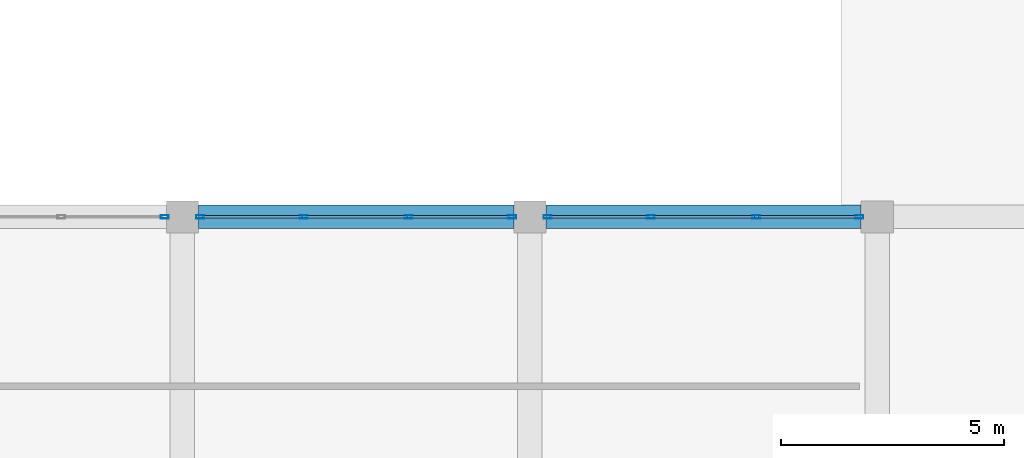
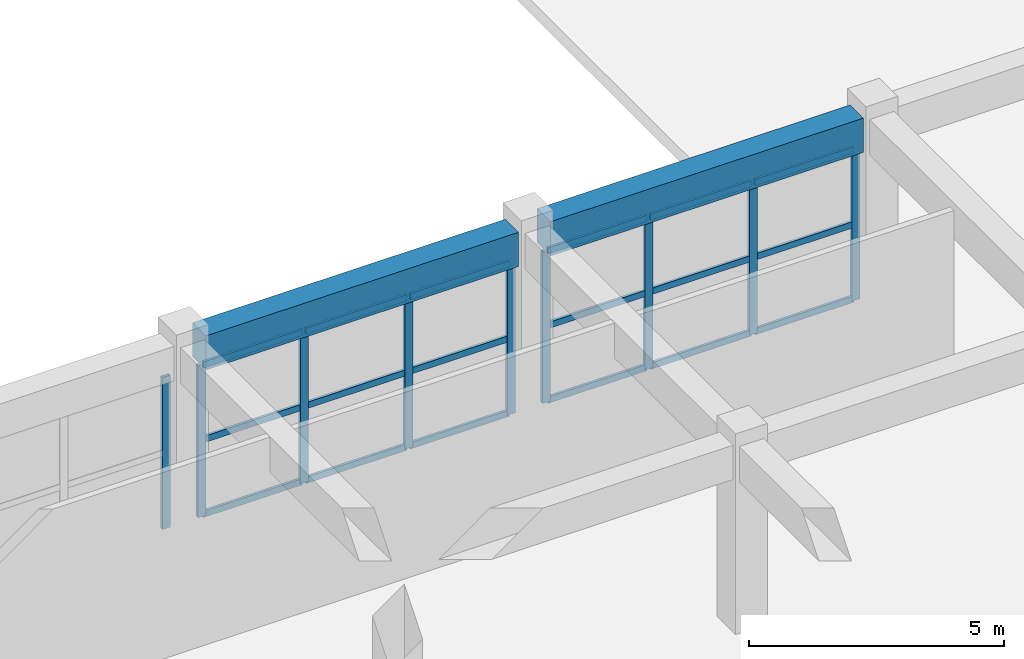
# One storey, part 76 of 139: 27 members, 2 beams, 3 elements without a shape of their own.
"""IFC4 building model written with IfcOpenShell, lengths in metres."""

from ifc_helpers import new_model, si_unit, direction, frame, origin, origin_2d, place, context, subcontext, project, spatial, rectangle, hollow_rectangle, extrude, material, layer, layer_set, material_profile, profile_set, type_object, element, aggregate, save


model = new_model("IFC4")

# Units and contexts
model_context = context("Model", 3, precision=1e-05, world=origin(), true_north=direction((0.0, 1.0)))
body_context = subcontext(model_context, "Body", "Model", "MODEL_VIEW")
ifc_project = project(units=[si_unit("LENGTHUNIT", "METRE"), si_unit("AREAUNIT", "SQUARE_METRE"), si_unit("VOLUMEUNIT", "CUBIC_METRE"), si_unit("PLANEANGLEUNIT", "RADIAN"), si_unit("MASSUNIT", "GRAM", prefix="KILO")], contexts=[model_context])

# Site, building, storey
site_placement = place(None, origin())
site = spatial("IfcSite", under=ifc_project, at=site_placement, CompositionType="ELEMENT")
building_placement = place(site_placement, origin())
building = spatial("IfcBuilding", under=site, at=building_placement, Name="Zizhar Promenade General Hospital", CompositionType="ELEMENT")
storey_placement = place(building_placement, origin())
storey = spatial("IfcBuildingStorey", under=building, at=storey_placement, Name="L00", CompositionType="ELEMENT", Elevation=0.0)

# Beams
ifc_material_1 = material(Name="Concrete C35/45", Category="concrete")
ifc_material_profile_1 = material_profile(ifc_material_1, rectangle(XDim=0.52001953125, YDim=0.820068359375, at=origin_2d()))
ifc_profile_set_1 = profile_set([ifc_material_profile_1], Name="Concrete C35/45")
beam_type = type_object("IfcBeamType", Name="BM-RC-520x820", PredefinedType="BEAM", material=ifc_profile_set_1)
beam_1_placement = place(storey_placement, frame((156.360107421875, 67.199951171875, 4.06005859375), z_axis=(1.0, 0.0, 0.0), x_axis=(0.0, 1.0, 0.0)))
element("IfcBeam", 1, at=beam_1_placement, inside=storey, type_object=beam_type, Name="Grid Beam X L00 (20-8)", PredefinedType="BEAM", context=body_context, shape_type="SweptSolid", body=[
    extrude(rectangle(XDim=0.52001953125, YDim=0.820068359375, at=origin_2d()), origin(), (0.0, 0.0, 1.0), 7.079833984375),
])
beam_2_placement = place(storey_placement, frame((164.159912109375, 67.199951171875, 4.06005859375), z_axis=(1.0, 0.0, 0.0), x_axis=(0.0, 1.0, 0.0)))
element("IfcBeam", 2, at=beam_2_placement, inside=storey, type_object=beam_type, Name="Grid Beam X L00 (21-8)", PredefinedType="BEAM", context=body_context, shape_type="SweptSolid", body=[
    extrude(rectangle(XDim=0.52001953125, YDim=0.820068359375, at=origin_2d()), origin(), (0.0, 0.0, 1.0), 7.080078125),
])

# Curtain wall, member
ifc_material_2 = material(Name="Anodised aluminium 6063-T6 and low-E glass", Category="aluminium")
ifc_layer = layer(ifc_material_2, 0.159912109375)
ifc_layer_set = layer_set([ifc_layer], Name="Anodised aluminium 6063-T6 and low-E glass")
curtain_wall_type = type_object("IfcCurtainWallType", Name="CW-CLN-CRT", PredefinedType="NOTDEFINED", material=ifc_layer_set)
curtain_wall_1_placement = place(storey_placement, origin())
curtain_wall_1 = element("IfcCurtainWall", 3, at=curtain_wall_1_placement, inside=storey, type_object=curtain_wall_type, Name="East Light Court South Glazing L00-19", PredefinedType="NOTDEFINED")
ifc_material_3 = material(Name="Anodised aluminium 6063-T6", Category="aluminium")
ifc_material_profile_2 = material_profile(ifc_material_3, hollow_rectangle(XDim=0.080078125, YDim=0.179931640625, WallThickness=0.0048828125, at=origin_2d()))
ifc_profile_set_2 = profile_set([ifc_material_profile_2], Name="Anodised aluminium 6063-T6")
member_type_1 = type_object("IfcMemberType", Name="CWM-ALU-180x80", PredefinedType="MULLION", material=ifc_profile_set_2)
member_1_placement = place(storey_placement, frame((155.60009765625, 67.199951171875, 0.0), z_axis=(0.0, 0.0, 1.0), x_axis=(0.0, 1.0, 0.0)))
member_1 = element("IfcMember", 4, at=member_1_placement, type_object=member_type_1, Name="CW-10 mullion 4", PredefinedType="MULLION", context=body_context, shape_type="SweptSolid", body=[
    extrude(hollow_rectangle(XDim=0.080078125, YDim=0.179931640625, WallThickness=0.0048828125, at=origin_2d()), origin(), (0.0, 0.0, 1.0), 3.6298828125),
])
aggregate(curtain_wall_1, [member_1])

# Curtain wall, members
curtain_wall_2_placement = place(storey_placement, origin())
curtain_wall_2 = element("IfcCurtainWall", 5, at=curtain_wall_2_placement, inside=storey, type_object=curtain_wall_type, Name="East Light Court South Glazing L00-20", PredefinedType="NOTDEFINED")
member_2_placement = place(storey_placement, frame((156.39990234375, 67.199951171875, 0.0), z_axis=(0.0, 0.0, 1.0), x_axis=(0.0, 1.0, 0.0)))
member_2 = element("IfcMember", 6, at=member_2_placement, type_object=member_type_1, Name="CW-10 mullion 1", PredefinedType="MULLION", context=body_context, shape_type="SweptSolid", body=[
    extrude(hollow_rectangle(XDim=0.080078125, YDim=0.179931640625, WallThickness=0.0048828125, at=origin_2d()), origin(), (0.0, 0.0, 1.0), 3.6298828125),
])
member_3_placement = place(storey_placement, frame((158.719970703125, 67.199951171875, 0.0), z_axis=(0.0, 0.0, 1.0), x_axis=(0.0, 1.0, 0.0)))
member_3 = element("IfcMember", 7, at=member_3_placement, type_object=member_type_1, Name="CW-10 mullion 2", PredefinedType="MULLION", context=body_context, shape_type="SweptSolid", body=[
    extrude(hollow_rectangle(XDim=0.080078125, YDim=0.179931640625, WallThickness=0.0048828125, at=origin_2d()), origin(), (0.0, 0.0, 1.0), 3.6298828125),
])
member_4_placement = place(storey_placement, frame((161.080078125, 67.199951171875, 0.0), z_axis=(0.0, 0.0, 1.0), x_axis=(0.0, 1.0, 0.0)))
member_4 = element("IfcMember", 8, at=member_4_placement, type_object=member_type_1, Name="CW-10 mullion 3", PredefinedType="MULLION", context=body_context, shape_type="SweptSolid", body=[
    extrude(hollow_rectangle(XDim=0.080078125, YDim=0.179931640625, WallThickness=0.0048828125, at=origin_2d()), origin(), (0.0, 0.0, 1.0), 3.6298828125),
])
member_5_placement = place(storey_placement, frame((163.39990234375, 67.199951171875, 0.0), z_axis=(0.0, 0.0, 1.0), x_axis=(0.0, 1.0, 0.0)))
member_5 = element("IfcMember", 9, at=member_5_placement, type_object=member_type_1, Name="CW-10 mullion 4", PredefinedType="MULLION", context=body_context, shape_type="SweptSolid", body=[
    extrude(hollow_rectangle(XDim=0.080078125, YDim=0.179931640625, WallThickness=0.0048828125, at=origin_2d()), origin(), (0.0, 0.0, 1.0), 3.6298828125),
])

curtain_wall_3_placement = place(storey_placement, origin())
curtain_wall_3 = element("IfcCurtainWall", 10, at=curtain_wall_3_placement, inside=storey, type_object=curtain_wall_type, Name="East Light Court South Glazing L00-21", PredefinedType="NOTDEFINED")
member_6_placement = place(storey_placement, frame((164.199951171875, 67.199951171875, 0.0), z_axis=(0.0, 0.0, 1.0), x_axis=(0.0, 1.0, 0.0)))
member_6 = element("IfcMember", 11, at=member_6_placement, type_object=member_type_1, Name="CW-10 mullion 1", PredefinedType="MULLION", context=body_context, shape_type="SweptSolid", body=[
    extrude(hollow_rectangle(XDim=0.080078125, YDim=0.179931640625, WallThickness=0.0048828125, at=origin_2d()), origin(), (0.0, 0.0, 1.0), 3.6298828125),
])
member_7_placement = place(storey_placement, frame((166.52001953125, 67.199951171875, 0.0), z_axis=(0.0, 0.0, 1.0), x_axis=(0.0, 1.0, 0.0)))
member_7 = element("IfcMember", 12, at=member_7_placement, type_object=member_type_1, Name="CW-10 mullion 2", PredefinedType="MULLION", context=body_context, shape_type="SweptSolid", body=[
    extrude(hollow_rectangle(XDim=0.080078125, YDim=0.179931640625, WallThickness=0.0048828125, at=origin_2d()), origin(), (0.0, 0.0, 1.0), 3.6298828125),
])
member_8_placement = place(storey_placement, frame((168.8798828125, 67.199951171875, 0.0), z_axis=(0.0, 0.0, 1.0), x_axis=(0.0, 1.0, 0.0)))
member_8 = element("IfcMember", 13, at=member_8_placement, type_object=member_type_1, Name="CW-10 mullion 3", PredefinedType="MULLION", context=body_context, shape_type="SweptSolid", body=[
    extrude(hollow_rectangle(XDim=0.080078125, YDim=0.179931640625, WallThickness=0.0048828125, at=origin_2d()), origin(), (0.0, 0.0, 1.0), 3.6298828125),
])
member_9_placement = place(storey_placement, frame((171.199951171875, 67.199951171875, 0.0), z_axis=(0.0, 0.0, 1.0), x_axis=(0.0, 1.0, 0.0)))
member_9 = element("IfcMember", 14, at=member_9_placement, type_object=member_type_1, Name="CW-10 mullion 4", PredefinedType="MULLION", context=body_context, shape_type="SweptSolid", body=[
    extrude(hollow_rectangle(XDim=0.080078125, YDim=0.179931640625, WallThickness=0.0048828125, at=origin_2d()), origin(), (0.0, 0.0, 1.0), 3.6298828125),
])

# Member
ifc_material_4 = material(Name="Anodised aluminium 6063-T6", Category="aluminium")
ifc_material_profile_3 = material_profile(ifc_material_4, hollow_rectangle(XDim=0.06005859375, YDim=0.14990234375, WallThickness=0.00390625, at=origin_2d()))
ifc_profile_set_3 = profile_set([ifc_material_profile_3], Name="Anodised aluminium 6063-T6")
member_type_2 = type_object("IfcMemberType", Name="CWT-ALU-150x60", PredefinedType="USERDEFINED", material=ifc_profile_set_3)
member_10_placement = place(storey_placement, frame((156.43994140625, 67.199951171875, 0.030029296875), z_axis=(1.0, 0.0, 0.0), x_axis=(0.0, 1.0, 0.0)))
member_10 = element("IfcMember", 15, at=member_10_placement, type_object=member_type_2, Name="CW-10 transom 1.1", ObjectType="TRANSOM", PredefinedType="USERDEFINED", context=body_context, shape_type="SweptSolid", body=[
    extrude(hollow_rectangle(XDim=0.06005859375, YDim=0.14990234375, WallThickness=0.00390625, at=origin_2d()), origin(), (0.0, 0.0, 1.0), 2.239990234375),
])

member_11_placement = place(storey_placement, frame((156.43994140625, 67.199951171875, 1.81494140625), z_axis=(1.0, 0.0, 0.0), x_axis=(0.0, 1.0, 0.0)))
member_11 = element("IfcMember", 16, at=member_11_placement, type_object=member_type_2, Name="CW-10 transom 1.2", ObjectType="TRANSOM", PredefinedType="USERDEFINED", context=body_context, shape_type="SweptSolid", body=[
    extrude(hollow_rectangle(XDim=0.06005859375, YDim=0.14990234375, WallThickness=0.00390625, at=origin_2d()), origin(), (0.0, 0.0, 1.0), 2.239990234375),
])

member_12_placement = place(storey_placement, frame((156.43994140625, 67.199951171875, 3.60009765625), z_axis=(1.0, 0.0, 0.0), x_axis=(0.0, 1.0, 0.0)))
member_12 = element("IfcMember", 17, at=member_12_placement, type_object=member_type_2, Name="CW-10 transom 1.3", ObjectType="TRANSOM", PredefinedType="USERDEFINED", context=body_context, shape_type="SweptSolid", body=[
    extrude(hollow_rectangle(XDim=0.06005859375, YDim=0.14990234375, WallThickness=0.00390625, at=origin_2d()), origin(), (0.0, 0.0, 1.0), 2.239990234375),
])

member_13_placement = place(storey_placement, frame((158.760009765625, 67.199951171875, 0.030029296875), z_axis=(1.0, 0.0, 0.0), x_axis=(0.0, 1.0, 0.0)))
member_13 = element("IfcMember", 18, at=member_13_placement, type_object=member_type_2, Name="CW-10 transom 2.1", ObjectType="TRANSOM", PredefinedType="USERDEFINED", context=body_context, shape_type="SweptSolid", body=[
    extrude(hollow_rectangle(XDim=0.06005859375, YDim=0.14990234375, WallThickness=0.00390625, at=origin_2d()), origin(), (0.0, 0.0, 1.0), 2.280029296875),
])

member_14_placement = place(storey_placement, frame((158.760009765625, 67.199951171875, 1.81494140625), z_axis=(1.0, 0.0, 0.0), x_axis=(0.0, 1.0, 0.0)))
member_14 = element("IfcMember", 19, at=member_14_placement, type_object=member_type_2, Name="CW-10 transom 2.2", ObjectType="TRANSOM", PredefinedType="USERDEFINED", context=body_context, shape_type="SweptSolid", body=[
    extrude(hollow_rectangle(XDim=0.06005859375, YDim=0.14990234375, WallThickness=0.00390625, at=origin_2d()), origin(), (0.0, 0.0, 1.0), 2.280029296875),
])

member_15_placement = place(storey_placement, frame((158.760009765625, 67.199951171875, 3.60009765625), z_axis=(1.0, 0.0, 0.0), x_axis=(0.0, 1.0, 0.0)))
member_15 = element("IfcMember", 20, at=member_15_placement, type_object=member_type_2, Name="CW-10 transom 2.3", ObjectType="TRANSOM", PredefinedType="USERDEFINED", context=body_context, shape_type="SweptSolid", body=[
    extrude(hollow_rectangle(XDim=0.06005859375, YDim=0.14990234375, WallThickness=0.00390625, at=origin_2d()), origin(), (0.0, 0.0, 1.0), 2.280029296875),
])

member_16_placement = place(storey_placement, frame((161.1201171875, 67.199951171875, 0.030029296875), z_axis=(1.0, 0.0, 0.0), x_axis=(0.0, 1.0, 0.0)))
member_16 = element("IfcMember", 21, at=member_16_placement, type_object=member_type_2, Name="CW-10 transom 3.1", ObjectType="TRANSOM", PredefinedType="USERDEFINED", context=body_context, shape_type="SweptSolid", body=[
    extrude(hollow_rectangle(XDim=0.06005859375, YDim=0.14990234375, WallThickness=0.00390625, at=origin_2d()), origin(), (0.0, 0.0, 1.0), 2.239990234375),
])

member_17_placement = place(storey_placement, frame((161.1201171875, 67.199951171875, 1.81494140625), z_axis=(1.0, 0.0, 0.0), x_axis=(0.0, 1.0, 0.0)))
member_17 = element("IfcMember", 22, at=member_17_placement, type_object=member_type_2, Name="CW-10 transom 3.2", ObjectType="TRANSOM", PredefinedType="USERDEFINED", context=body_context, shape_type="SweptSolid", body=[
    extrude(hollow_rectangle(XDim=0.06005859375, YDim=0.14990234375, WallThickness=0.00390625, at=origin_2d()), origin(), (0.0, 0.0, 1.0), 2.239990234375),
])

member_18_placement = place(storey_placement, frame((161.1201171875, 67.199951171875, 3.60009765625), z_axis=(1.0, 0.0, 0.0), x_axis=(0.0, 1.0, 0.0)))
member_18 = element("IfcMember", 23, at=member_18_placement, type_object=member_type_2, Name="CW-10 transom 3.3", ObjectType="TRANSOM", PredefinedType="USERDEFINED", context=body_context, shape_type="SweptSolid", body=[
    extrude(hollow_rectangle(XDim=0.06005859375, YDim=0.14990234375, WallThickness=0.00390625, at=origin_2d()), origin(), (0.0, 0.0, 1.0), 2.239990234375),
])

aggregate(curtain_wall_2, [member_2, member_3, member_4, member_5, member_10, member_11, member_12, member_13, member_14, member_15, member_16, member_17, member_18])

member_19_placement = place(storey_placement, frame((164.239990234375, 67.199951171875, 0.030029296875), z_axis=(1.0, 0.0, 0.0), x_axis=(0.0, 1.0, 0.0)))
member_19 = element("IfcMember", 24, at=member_19_placement, type_object=member_type_2, Name="CW-10 transom 1.1", ObjectType="TRANSOM", PredefinedType="USERDEFINED", context=body_context, shape_type="SweptSolid", body=[
    extrude(hollow_rectangle(XDim=0.06005859375, YDim=0.14990234375, WallThickness=0.00390625, at=origin_2d()), origin(), (0.0, 0.0, 1.0), 2.239990234375),
])

member_20_placement = place(storey_placement, frame((164.239990234375, 67.199951171875, 1.81494140625), z_axis=(1.0, 0.0, 0.0), x_axis=(0.0, 1.0, 0.0)))
member_20 = element("IfcMember", 25, at=member_20_placement, type_object=member_type_2, Name="CW-10 transom 1.2", ObjectType="TRANSOM", PredefinedType="USERDEFINED", context=body_context, shape_type="SweptSolid", body=[
    extrude(hollow_rectangle(XDim=0.06005859375, YDim=0.14990234375, WallThickness=0.00390625, at=origin_2d()), origin(), (0.0, 0.0, 1.0), 2.239990234375),
])

member_21_placement = place(storey_placement, frame((164.239990234375, 67.199951171875, 3.60009765625), z_axis=(1.0, 0.0, 0.0), x_axis=(0.0, 1.0, 0.0)))
member_21 = element("IfcMember", 26, at=member_21_placement, type_object=member_type_2, Name="CW-10 transom 1.3", ObjectType="TRANSOM", PredefinedType="USERDEFINED", context=body_context, shape_type="SweptSolid", body=[
    extrude(hollow_rectangle(XDim=0.06005859375, YDim=0.14990234375, WallThickness=0.00390625, at=origin_2d()), origin(), (0.0, 0.0, 1.0), 2.239990234375),
])

member_22_placement = place(storey_placement, frame((166.56005859375, 67.199951171875, 0.030029296875), z_axis=(1.0, 0.0, 0.0), x_axis=(0.0, 1.0, 0.0)))
member_22 = element("IfcMember", 27, at=member_22_placement, type_object=member_type_2, Name="CW-10 transom 2.1", ObjectType="TRANSOM", PredefinedType="USERDEFINED", context=body_context, shape_type="SweptSolid", body=[
    extrude(hollow_rectangle(XDim=0.06005859375, YDim=0.14990234375, WallThickness=0.00390625, at=origin_2d()), origin(), (0.0, 0.0, 1.0), 2.280029296875),
])

member_23_placement = place(storey_placement, frame((166.56005859375, 67.199951171875, 1.81494140625), z_axis=(1.0, 0.0, 0.0), x_axis=(0.0, 1.0, 0.0)))
member_23 = element("IfcMember", 28, at=member_23_placement, type_object=member_type_2, Name="CW-10 transom 2.2", ObjectType="TRANSOM", PredefinedType="USERDEFINED", context=body_context, shape_type="SweptSolid", body=[
    extrude(hollow_rectangle(XDim=0.06005859375, YDim=0.14990234375, WallThickness=0.00390625, at=origin_2d()), origin(), (0.0, 0.0, 1.0), 2.280029296875),
])

member_24_placement = place(storey_placement, frame((166.56005859375, 67.199951171875, 3.60009765625), z_axis=(1.0, 0.0, 0.0), x_axis=(0.0, 1.0, 0.0)))
member_24 = element("IfcMember", 29, at=member_24_placement, type_object=member_type_2, Name="CW-10 transom 2.3", ObjectType="TRANSOM", PredefinedType="USERDEFINED", context=body_context, shape_type="SweptSolid", body=[
    extrude(hollow_rectangle(XDim=0.06005859375, YDim=0.14990234375, WallThickness=0.00390625, at=origin_2d()), origin(), (0.0, 0.0, 1.0), 2.280029296875),
])

member_25_placement = place(storey_placement, frame((168.919921875, 67.199951171875, 0.030029296875), z_axis=(1.0, 0.0, 0.0), x_axis=(0.0, 1.0, 0.0)))
member_25 = element("IfcMember", 30, at=member_25_placement, type_object=member_type_2, Name="CW-10 transom 3.1", ObjectType="TRANSOM", PredefinedType="USERDEFINED", context=body_context, shape_type="SweptSolid", body=[
    extrude(hollow_rectangle(XDim=0.06005859375, YDim=0.14990234375, WallThickness=0.00390625, at=origin_2d()), origin(), (0.0, 0.0, 1.0), 2.239990234375),
])

member_26_placement = place(storey_placement, frame((168.919921875, 67.199951171875, 1.81494140625), z_axis=(1.0, 0.0, 0.0), x_axis=(0.0, 1.0, 0.0)))
member_26 = element("IfcMember", 31, at=member_26_placement, type_object=member_type_2, Name="CW-10 transom 3.2", ObjectType="TRANSOM", PredefinedType="USERDEFINED", context=body_context, shape_type="SweptSolid", body=[
    extrude(hollow_rectangle(XDim=0.06005859375, YDim=0.14990234375, WallThickness=0.00390625, at=origin_2d()), origin(), (0.0, 0.0, 1.0), 2.239990234375),
])

member_27_placement = place(storey_placement, frame((168.919921875, 67.199951171875, 3.60009765625), z_axis=(1.0, 0.0, 0.0), x_axis=(0.0, 1.0, 0.0)))
member_27 = element("IfcMember", 32, at=member_27_placement, type_object=member_type_2, Name="CW-10 transom 3.3", ObjectType="TRANSOM", PredefinedType="USERDEFINED", context=body_context, shape_type="SweptSolid", body=[
    extrude(hollow_rectangle(XDim=0.06005859375, YDim=0.14990234375, WallThickness=0.00390625, at=origin_2d()), origin(), (0.0, 0.0, 1.0), 2.239990234375),
])

aggregate(curtain_wall_3, [member_6, member_7, member_8, member_9, member_19, member_20, member_21, member_22, member_23, member_24, member_25, member_26, member_27])

save(model, "model.ifc")
